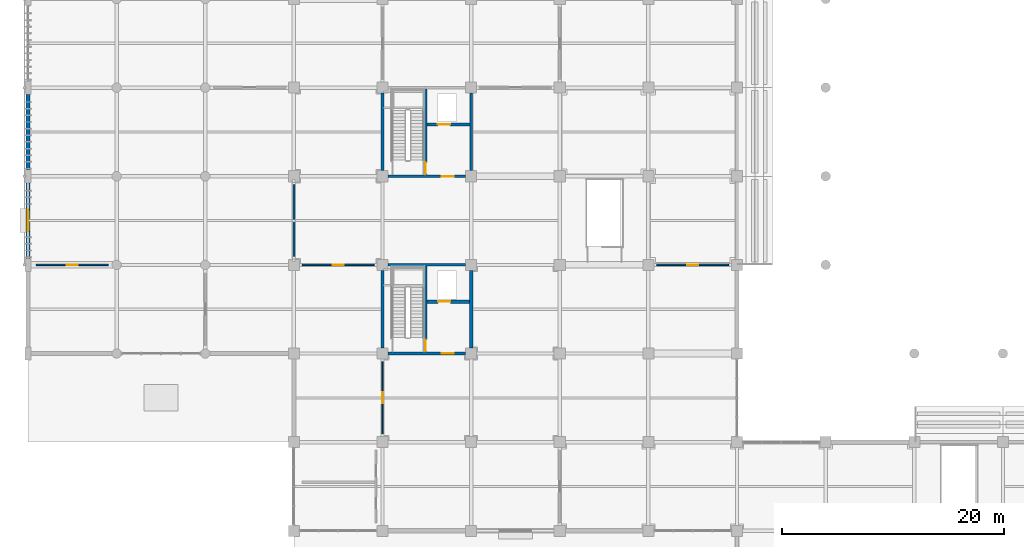
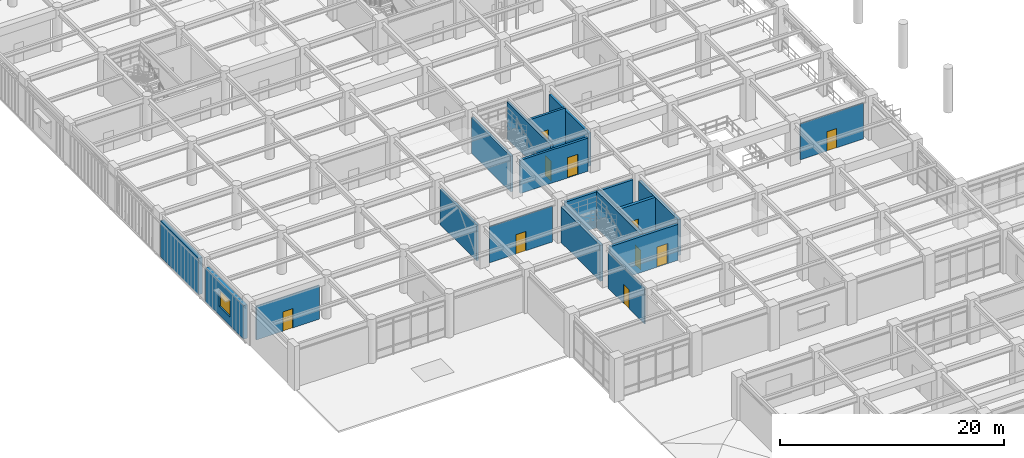
# One storey, part 71 of 117: 18 walls, 10 doors, 1 window, 11 openings.
"""IFC4 building model written with IfcOpenShell, lengths in metres."""

from ifc_helpers import new_model, si_unit, direction, frame, frame_2d, origin, place, context, subcontext, project, spatial, rectangle, extrude, material, layer, layer_set, type_object, element, fill, save


model = new_model("IFC4")

# Units and contexts
model_context = context("Model", 3, precision=1e-05, world=origin(), true_north=direction((0.0, 1.0)))
body_context = subcontext(model_context, "Body", "Model", "MODEL_VIEW")
ifc_project = project(units=[si_unit("LENGTHUNIT", "METRE"), si_unit("AREAUNIT", "SQUARE_METRE"), si_unit("VOLUMEUNIT", "CUBIC_METRE"), si_unit("PLANEANGLEUNIT", "RADIAN"), si_unit("MASSUNIT", "GRAM", prefix="KILO")], contexts=[model_context])

# Site, building, storey
site_placement = place(None, origin())
site = spatial("IfcSite", under=ifc_project, at=site_placement, CompositionType="ELEMENT")
building_placement = place(site_placement, origin())
building = spatial("IfcBuilding", under=site, at=building_placement, Name="Haebicheon Civic Stadium", CompositionType="ELEMENT")
storey_placement = place(building_placement, frame((0.0, 0.0, 4.800048828125)))
storey = spatial("IfcBuildingStorey", under=building, at=storey_placement, Name="L02", CompositionType="ELEMENT", Elevation=4.800048828125)

# Wall, opening, door
ifc_material_1 = material(Name="Concrete C40/50", Category="concrete")
ifc_layer_1 = layer(ifc_material_1, 0.239990234375, Name="Concrete C40/50")
ifc_layer_set_1 = layer_set([ifc_layer_1], Name="Concrete C40/50")
wall_type_1 = type_object("IfcWallType", Name="CW-SHR-240", PredefinedType="SHEAR", material=ifc_layer_set_1)
wall_1_placement = place(storey_placement, frame((32.5, 40.0, 0.0), z_axis=(0.0, 0.0, 1.0), x_axis=(1.0, 0.0, 0.0)))
wall_1 = element("IfcWall", 1, at=wall_1_placement, inside=storey, type_object=wall_type_1, material=ifc_layer_set_1, Name="KC-01 L02 south core shear wall", PredefinedType="SHEAR", context=body_context, shape_type="SweptSolid", body=[
    extrude(rectangle(XDim=7.0, YDim=0.239990234375, at=frame_2d((3.5, 0.0))), origin(), (0.0, 0.0, 1.0), 3.909912109375),
])
opening_1_placement = place(wall_1_placement, frame((4.85009765625, 0.0, 0.0)))
opening_1 = element("IfcOpeningElement", 2, at=opening_1_placement, cuts=wall_1, Name="Opening D-L02-KC-01-LOB", PredefinedType="OPENING", context=body_context, shape_type="SweptSolid", body=[
    extrude(rectangle(XDim=1.10009765625, YDim=2.199951171875, at=frame_2d((0.550048828125, 1.10009765625))), frame((0.0, 0.1298828125, 0.0), z_axis=(0.0, -1.0, 0.0), x_axis=(1.0, 0.0, 0.0)), (0.0, 0.0, 1.0), 0.260009765625),
])
ifc_material_2 = material(Name="Galvanised painted steel SM355", Category="steel")
door_type_1 = type_object("IfcDoorType", Name="ID-FD-1100", OperationType="NOTDEFINED", PredefinedType="DOOR", material=ifc_material_2)
door_1_placement = place(opening_1_placement, origin())
door_1 = element("IfcDoor", 3, at=door_1_placement, inside=storey, type_object=door_type_1, material=ifc_material_2, Name="L02 KC-01 lobby fire door", OperationType="SINGLE_SWING_LEFT", OverallHeight=2.199951171875, OverallWidth=1.10009765625, PredefinedType="DOOR", context=body_context, shape_type="SweptSolid", body=[
    extrude(rectangle(XDim=1.10009765625, YDim=2.199951171875, at=frame_2d((0.550048828125, 1.10009765625))), frame((0.0, 0.02490234375, 0.0), z_axis=(0.0, -1.0, 0.0), x_axis=(1.0, 0.0, 0.0)), (0.0, 0.0, 1.0), 0.050048828125),
])
fill(opening_1, door_1)

# Wall
wall_2_placement = place(storey_placement, frame((32.5, 48.0, 0.0), z_axis=(0.0, 0.0, 1.0), x_axis=(1.0, 0.0, 0.0)))
element("IfcWall", 4, at=wall_2_placement, inside=storey, type_object=wall_type_1, material=ifc_layer_set_1, Name="KC-01 L02 north core shear wall", PredefinedType="SHEAR", context=body_context, shape_type="SweptSolid", body=[
    extrude(rectangle(XDim=7.0, YDim=0.239990234375, at=frame_2d((3.5, 0.0))), origin(), (0.0, 0.0, 1.0), 3.909912109375),
])

# Wall, opening, door
wall_3_placement = place(storey_placement, frame((32.5, 56.0, 0.0), z_axis=(0.0, 0.0, 1.0), x_axis=(1.0, 0.0, 0.0)))
wall_3 = element("IfcWall", 5, at=wall_3_placement, inside=storey, type_object=wall_type_1, material=ifc_layer_set_1, Name="KC-02 L02 south core shear wall", PredefinedType="SHEAR", context=body_context, shape_type="SweptSolid", body=[
    extrude(rectangle(XDim=7.0, YDim=0.239990234375, at=frame_2d((3.5, 0.0))), origin(), (0.0, 0.0, 1.0), 3.60986328125),
])
opening_2_placement = place(wall_3_placement, frame((4.85009765625, 0.0, 0.0)))
opening_2 = element("IfcOpeningElement", 6, at=opening_2_placement, cuts=wall_3, Name="Opening D-L02-KC-02-LOB", PredefinedType="OPENING", context=body_context, shape_type="SweptSolid", body=[
    extrude(rectangle(XDim=1.10009765625, YDim=2.199951171875, at=frame_2d((0.550048828125, 1.10009765625))), frame((0.0, 0.1298828125, 0.0), z_axis=(0.0, -1.0, 0.0), x_axis=(1.0, 0.0, 0.0)), (0.0, 0.0, 1.0), 0.260009765625),
])
door_2_placement = place(opening_2_placement, origin())
door_2 = element("IfcDoor", 7, at=door_2_placement, inside=storey, type_object=door_type_1, material=ifc_material_2, Name="L02 KC-02 lobby fire door", OperationType="SINGLE_SWING_RIGHT", OverallHeight=2.199951171875, OverallWidth=1.10009765625, PredefinedType="DOOR", context=body_context, shape_type="SweptSolid", body=[
    extrude(rectangle(XDim=1.10009765625, YDim=2.199951171875, at=frame_2d((0.550048828125, 1.10009765625))), frame((0.0, 0.02490234375, 0.0), z_axis=(0.0, -1.0, 0.0), x_axis=(1.0, 0.0, 0.0)), (0.0, 0.0, 1.0), 0.050048828125),
])
fill(opening_2, door_2)

# Walls
wall_4_placement = place(storey_placement, frame((32.0, 56.5, 0.0), z_axis=(0.0, 0.0, 1.0), x_axis=(0.0, 1.0, 0.0)))
element("IfcWall", 8, at=wall_4_placement, inside=storey, type_object=wall_type_1, material=ifc_layer_set_1, Name="KC-02 L02 west core shear wall", PredefinedType="SHEAR", context=body_context, shape_type="SweptSolid", body=[
    extrude(rectangle(XDim=7.0, YDim=0.239990234375, at=frame_2d((3.5, 0.0))), origin(), (0.0, 0.0, 1.0), 3.909912109375),
])
wall_5_placement = place(storey_placement, frame((40.0, 56.5, 0.0), z_axis=(0.0, 0.0, 1.0), x_axis=(0.0, 1.0, 0.0)))
element("IfcWall", 9, at=wall_5_placement, inside=storey, type_object=wall_type_1, material=ifc_layer_set_1, Name="KC-02 L02 east core shear wall", PredefinedType="SHEAR", context=body_context, shape_type="SweptSolid", body=[
    extrude(rectangle(XDim=7.0, YDim=0.239990234375, at=frame_2d((3.5, 0.0))), origin(), (0.0, 0.0, 1.0), 3.60986328125),
])

# Wall, opening, door
wall_6_placement = place(storey_placement, frame((35.8798828125, 56.1201171875, 0.0), z_axis=(0.0, 0.0, 1.0), x_axis=(0.0, 1.0, 0.0)))
wall_6 = element("IfcWall", 10, at=wall_6_placement, inside=storey, type_object=wall_type_1, material=ifc_layer_set_1, Name="KC-02 L02 stair-lobby dividing shear wall", PredefinedType="SHEAR", context=body_context, shape_type="SweptSolid", body=[
    extrude(rectangle(XDim=7.759765625, YDim=0.239990234375, at=frame_2d((3.8798828125, 0.0))), origin(), (0.0, 0.0, 1.0), 4.010009765625),
])
opening_3_placement = place(wall_6_placement, frame((0.080078125, 0.0, 0.0)))
opening_3 = element("IfcOpeningElement", 11, at=opening_3_placement, cuts=wall_6, Name="Opening D-L02-KC-02-STR", PredefinedType="OPENING", context=body_context, shape_type="SweptSolid", body=[
    extrude(rectangle(XDim=1.050048828125, YDim=2.14990234375, at=frame_2d((0.52490234375, 1.074951171875))), frame((0.0, 0.1298828125, 0.0), z_axis=(0.0, -1.0, 0.0), x_axis=(1.0, 0.0, 0.0)), (0.0, 0.0, 1.0), 0.260009765625),
])
ifc_material_3 = material(Name="Galvanised painted steel SM355", Category="steel")
door_type_2 = type_object("IfcDoorType", Name="ID-FD-1050", OperationType="NOTDEFINED", PredefinedType="DOOR", material=ifc_material_3)
door_3_placement = place(opening_3_placement, origin())
door_3 = element("IfcDoor", 12, at=door_3_placement, inside=storey, type_object=door_type_2, material=ifc_material_3, Name="L02 ST-02 stairwell escape door", OperationType="SINGLE_SWING_LEFT", OverallHeight=2.14990234375, OverallWidth=1.050048828125, PredefinedType="DOOR", context=body_context, shape_type="SweptSolid", body=[
    extrude(rectangle(XDim=1.050048828125, YDim=2.14990234375, at=frame_2d((0.52490234375, 1.074951171875))), frame((0.0, 0.02490234375, 0.0), z_axis=(0.0, -1.0, 0.0), x_axis=(1.0, 0.0, 0.0)), (0.0, 0.0, 1.0), 0.050048828125),
])
fill(opening_3, door_3)

wall_7_placement = place(storey_placement, frame((36.0, 60.679931640625, 0.0), z_axis=(0.0, 0.0, 1.0), x_axis=(1.0, 0.0, 0.0)))
wall_7 = element("IfcWall", 13, at=wall_7_placement, inside=storey, type_object=wall_type_1, material=ifc_layer_set_1, Name="KC-02 L02 lift shaft front wall", PredefinedType="SHEAR", context=body_context, shape_type="SweptSolid", body=[
    extrude(rectangle(XDim=3.8798828125, YDim=0.239990234375, at=frame_2d((1.93994140625, 0.0))), origin(), (0.0, 0.0, 1.0), 3.909912109375),
])
opening_4_placement = place(wall_7_placement, frame((1.0, 0.0, 0.0)))
opening_4 = element("IfcOpeningElement", 14, at=opening_4_placement, cuts=wall_7, Name="Opening LD-02-L02", PredefinedType="OPENING", context=body_context, shape_type="SweptSolid", body=[
    extrude(rectangle(XDim=1.10009765625, YDim=2.14990234375, at=frame_2d((0.550048828125, 1.074951171875))), frame((0.0, 0.1298828125, 0.0), z_axis=(0.0, -1.0, 0.0), x_axis=(1.0, 0.0, 0.0)), (0.0, 0.0, 1.0), 0.260009765625),
])
ifc_material_4 = material(Name="Stainless steel 316", Category="steel")
door_type_3 = type_object("IfcDoorType", Name="ID-LD-1100", OperationType="NOTDEFINED", PredefinedType="DOOR", material=ifc_material_4)
door_4_placement = place(opening_4_placement, origin())
door_4 = element("IfcDoor", 15, at=door_4_placement, inside=storey, type_object=door_type_3, material=ifc_material_4, Name="LF-02 lift landing sliding door L02", OperationType="SLIDING_TO_LEFT", OverallHeight=2.14990234375, OverallWidth=1.10009765625, PredefinedType="DOOR", context=body_context, shape_type="SweptSolid", body=[
    extrude(rectangle(XDim=1.10009765625, YDim=2.14990234375, at=frame_2d((0.550048828125, 1.074951171875))), frame((0.0, 0.02490234375, 0.0), z_axis=(0.0, -1.0, 0.0), x_axis=(1.0, 0.0, 0.0)), (0.0, 0.0, 1.0), 0.050048828125),
])
fill(opening_4, door_4)

# Walls
ifc_material_5 = material(Name="Concrete C40/50", Category="concrete")
ifc_layer_2 = layer(ifc_material_5, 0.300048828125, Name="Concrete C40/50")
ifc_layer_set_2 = layer_set([ifc_layer_2], Name="Concrete C40/50")
wall_type_2 = type_object("IfcWallType", Name="CW-SHR-300", PredefinedType="SHEAR", material=ifc_layer_set_2)
for number, where, z_axis, x_axis, name in (
    (16, (32.0, 40.5, 0.0), (0.0, 0.0, 1.0), (0.0, 1.0, 0.0), "KC-01 L02 west core shear wall"),
    (17, (40.0, 40.5, 0.0), (0.0, 0.0, 1.0), (0.0, 1.0, 0.0), "KC-01 L02 east core shear wall"),
):
    element("IfcWall", number, at=place(storey_placement, frame(where, z_axis=z_axis, x_axis=x_axis)), inside=storey, type_object=wall_type_2, material=ifc_layer_set_2, Name=name, PredefinedType="SHEAR", context=body_context, shape_type="SweptSolid", body=[
        extrude(rectangle(XDim=7.0, YDim=0.300048828125, at=frame_2d((3.5, 0.0))), origin(), (0.0, 0.0, 1.0), 3.909912109375),
    ])

# Wall, opening, door
wall_8_placement = place(storey_placement, frame((35.8798828125, 40.1201171875, 0.0), z_axis=(0.0, 0.0, 1.0), x_axis=(0.0, 1.0, 0.0)))
wall_8 = element("IfcWall", 18, at=wall_8_placement, inside=storey, type_object=wall_type_2, material=ifc_layer_set_2, Name="KC-01 L02 stair-lobby dividing shear wall", PredefinedType="SHEAR", context=body_context, shape_type="SweptSolid", body=[
    extrude(rectangle(XDim=7.759765625, YDim=0.300048828125, at=frame_2d((3.8798828125, 0.0))), origin(), (0.0, 0.0, 1.0), 4.010009765625),
])
opening_5_placement = place(wall_8_placement, frame((0.080078125, 0.0, 0.0)))
opening_5 = element("IfcOpeningElement", 19, at=opening_5_placement, cuts=wall_8, Name="Opening D-L02-KC-01-STR", PredefinedType="OPENING", context=body_context, shape_type="SweptSolid", body=[
    extrude(rectangle(XDim=1.050048828125, YDim=2.14990234375, at=frame_2d((0.52490234375, 1.074951171875))), frame((0.0, 0.159912109375, 0.0), z_axis=(0.0, -1.0, 0.0), x_axis=(1.0, 0.0, 0.0)), (0.0, 0.0, 1.0), 0.320068359375),
])
door_5_placement = place(opening_5_placement, origin())
door_5 = element("IfcDoor", 20, at=door_5_placement, inside=storey, type_object=door_type_2, material=ifc_material_3, Name="L02 ST-01 stairwell escape door", OperationType="SINGLE_SWING_RIGHT", OverallHeight=2.14990234375, OverallWidth=1.050048828125, PredefinedType="DOOR", context=body_context, shape_type="SweptSolid", body=[
    extrude(rectangle(XDim=1.050048828125, YDim=2.14990234375, at=frame_2d((0.52490234375, 1.074951171875))), frame((0.0, 0.02490234375, 0.0), z_axis=(0.0, -1.0, 0.0), x_axis=(1.0, 0.0, 0.0)), (0.0, 0.0, 1.0), 0.050048828125),
])
fill(opening_5, door_5)

wall_9_placement = place(storey_placement, frame((36.030029296875, 44.679931640625, 0.0), z_axis=(0.0, 0.0, 1.0), x_axis=(1.0, 0.0, 0.0)))
wall_9 = element("IfcWall", 21, at=wall_9_placement, inside=storey, type_object=wall_type_2, material=ifc_layer_set_2, Name="KC-01 L02 lift shaft front wall", PredefinedType="SHEAR", context=body_context, shape_type="SweptSolid", body=[
    extrude(rectangle(XDim=3.820068359375, YDim=0.300048828125, at=frame_2d((1.91015625, 0.0))), origin(), (0.0, 0.0, 1.0), 3.909912109375),
])
opening_6_placement = place(wall_9_placement, frame((1.0, 0.0, 0.0)))
opening_6 = element("IfcOpeningElement", 22, at=opening_6_placement, cuts=wall_9, Name="Opening LD-01-L02", PredefinedType="OPENING", context=body_context, shape_type="SweptSolid", body=[
    extrude(rectangle(XDim=1.10009765625, YDim=2.14990234375, at=frame_2d((0.550048828125, 1.074951171875))), frame((0.0, 0.159912109375, 0.0), z_axis=(0.0, -1.0, 0.0), x_axis=(1.0, 0.0, 0.0)), (0.0, 0.0, 1.0), 0.320068359375),
])
door_6_placement = place(opening_6_placement, origin())
door_6 = element("IfcDoor", 23, at=door_6_placement, inside=storey, type_object=door_type_3, material=ifc_material_4, Name="LF-01 lift landing sliding door L02", OperationType="SLIDING_TO_LEFT", OverallHeight=2.14990234375, OverallWidth=1.10009765625, PredefinedType="DOOR", context=body_context, shape_type="SweptSolid", body=[
    extrude(rectangle(XDim=1.10009765625, YDim=2.14990234375, at=frame_2d((0.550048828125, 1.074951171875))), frame((0.0, 0.02490234375, 0.0), z_axis=(0.0, -1.0, 0.0), x_axis=(1.0, 0.0, 0.0)), (0.0, 0.0, 1.0), 0.050048828125),
])
fill(opening_6, door_6)

# Wall, opening, window
ifc_material_6 = material(Name="Concrete C40/50", Category="concrete")
ifc_layer_3 = layer(ifc_material_6, 0.3798828125, Name="Concrete C40/50")
ifc_layer_set_3 = layer_set([ifc_layer_3], Name="Concrete C40/50")
wall_type_3 = type_object("IfcWallType", Name="EW-BM-380", PredefinedType="SOLIDWALL", material=ifc_layer_set_3)
wall_10_placement = place(storey_placement, frame((0.0, 48.60009765625, 0.0), z_axis=(0.0, 0.0, 1.0), x_axis=(0.0, 1.0, 0.0)))
wall_10 = element("IfcWall", 24, at=wall_10_placement, inside=storey, type_object=wall_type_3, material=ifc_layer_set_3, Name="L02 board-marked concrete facade wall 00-06-W", PredefinedType="SOLIDWALL", context=body_context, shape_type="SweptSolid", body=[
    extrude(rectangle(XDim=6.7998046875, YDim=0.3798828125, at=frame_2d((3.39990234375, 0.0))), origin(), (0.0, 0.0, 1.0), 3.669921875),
])
opening_7_placement = place(wall_10_placement, frame((2.425048828125, 0.0, 0.949951171875)))
opening_7 = element("IfcOpeningElement", 25, at=opening_7_placement, cuts=wall_10, Name="Opening WIN-195x180", PredefinedType="OPENING", context=body_context, shape_type="SweptSolid", body=[
    extrude(rectangle(XDim=1.949951171875, YDim=1.800048828125, at=frame_2d((0.97509765625, 0.89990234375))), frame((0.0, 0.199951171875, 0.0), z_axis=(0.0, -1.0, 0.0), x_axis=(1.0, 0.0, 0.0)), (0.0, 0.0, 1.0), 0.39990234375),
])
ifc_material_7 = material(Name="Anodised aluminium and laminated glass", Category="aluminium")
window_type = type_object("IfcWindowType", Name="WIN-195x180", PartitioningType="SINGLE_PANEL", PredefinedType="WINDOW", material=ifc_material_7)
window_placement = place(opening_7_placement, origin())
window = element("IfcWindow", 26, at=window_placement, inside=storey, type_object=window_type, material=ifc_material_7, Name="L02 facade window 030", OverallHeight=1.800048828125, OverallWidth=1.949951171875, PartitioningType="SINGLE_PANEL", PredefinedType="WINDOW", context=body_context, shape_type="SweptSolid", body=[
    extrude(rectangle(XDim=1.949951171875, YDim=1.800048828125, at=frame_2d((0.97509765625, 0.89990234375))), frame((0.0, 0.030029296875, 0.0), z_axis=(0.0, -1.0, 0.0), x_axis=(1.0, 0.0, 0.0)), (0.0, 0.0, 1.0), 0.06005859375),
])
fill(opening_7, window)

# Walls
wall_11_placement = place(storey_placement, frame((0.0, 56.60009765625, 0.0), z_axis=(0.0, 0.0, 1.0), x_axis=(0.0, 1.0, 0.0)))
element("IfcWall", 27, at=wall_11_placement, inside=storey, type_object=wall_type_3, material=ifc_layer_set_3, Name="L02 board-marked concrete facade wall 00-07-W", PredefinedType="SOLIDWALL", context=body_context, shape_type="SweptSolid", body=[
    extrude(rectangle(XDim=6.7998046875, YDim=0.3798828125, at=frame_2d((3.39990234375, 0.0))), origin(), (0.0, 0.0, 1.0), 3.949951171875),
])
ifc_material_8 = material(Name="Concrete C35/45", Category="concrete")
ifc_layer_4 = layer(ifc_material_8, 0.199951171875, Name="Concrete C35/45")
ifc_layer_set_4 = layer_set([ifc_layer_4], Name="Concrete C35/45")
wall_type_4 = type_object("IfcWallType", Name="IW-FIR-200", PredefinedType="PARTITIONING", material=ifc_layer_set_4)
wall_12_placement = place(storey_placement, frame((24.0, 48.75, 0.0), z_axis=(0.0, 0.0, 1.0), x_axis=(0.0, 1.0, 0.0)))
element("IfcWall", 28, at=wall_12_placement, inside=storey, type_object=wall_type_4, material=ifc_layer_set_4, Name="L02 braced-frame solid fire wall 03-06", PredefinedType="PARTITIONING", context=body_context, shape_type="SweptSolid", body=[
    extrude(rectangle(XDim=6.5, YDim=0.199951171875, at=frame_2d((3.25, 0.0))), origin(), (0.0, 0.0, 1.0), 3.909912109375),
])

# Wall, opening, door
ifc_material_9 = material(Name="Gypsum plasterboard on steel studs", Category="gypsum")
ifc_layer_5 = layer(ifc_material_9, 0.1201171875, Name="Gypsum plasterboard on steel studs")
ifc_layer_set_5 = layer_set([ifc_layer_5], Name="Gypsum plasterboard on steel studs")
wall_type_5 = type_object("IfcWallType", Name="IW-PRT-120", PredefinedType="PARTITIONING", material=ifc_layer_set_5)
wall_13_placement = place(storey_placement, frame((32.0, 32.75, 0.0), z_axis=(0.0, 0.0, 1.0), x_axis=(0.0, 1.0, 0.0)))
wall_13 = element("IfcWall", 29, at=wall_13_placement, inside=storey, type_object=wall_type_5, material=ifc_layer_set_5, Name="L02 First Aid Station partition wall", PredefinedType="PARTITIONING", context=body_context, shape_type="SweptSolid", body=[
    extrude(rectangle(XDim=6.5, YDim=0.1201171875, at=frame_2d((3.25, 0.0))), origin(), (0.0, 0.0, 1.0), 3.909912109375),
])
opening_8_placement = place(wall_13_placement, frame((2.75, 0.0, 0.0)))
opening_8 = element("IfcOpeningElement", 30, at=opening_8_placement, cuts=wall_13, Name="Opening D-L02-194", PredefinedType="OPENING", context=body_context, shape_type="SweptSolid", body=[
    extrude(rectangle(XDim=1.0, YDim=2.10009765625, at=frame_2d((0.5, 1.050048828125))), frame((0.0, 0.070068359375, 0.0), z_axis=(0.0, -1.0, 0.0), x_axis=(1.0, 0.0, 0.0)), (0.0, 0.0, 1.0), 0.14013671875),
])
ifc_material_10 = material(Name="Engineered hardwood timber", Category="wood")
door_type_4 = type_object("IfcDoorType", Name="ID-RM-1000", OperationType="NOTDEFINED", PredefinedType="DOOR", material=ifc_material_10)
door_7_placement = place(opening_8_placement, origin())
door_7 = element("IfcDoor", 31, at=door_7_placement, inside=storey, type_object=door_type_4, material=ifc_material_10, Name="L02 First Aid Station entrance door D-L02-194", OperationType="SINGLE_SWING_RIGHT", OverallHeight=2.10009765625, OverallWidth=1.0, PredefinedType="DOOR", context=body_context, shape_type="SweptSolid", body=[
    extrude(rectangle(XDim=1.0, YDim=2.10009765625, at=frame_2d((0.5, 1.050048828125))), frame((0.0, 0.02490234375, 0.0), z_axis=(0.0, -1.0, 0.0), x_axis=(1.0, 0.0, 0.0)), (0.0, 0.0, 1.0), 0.050048828125),
])
fill(opening_8, door_7)

wall_14_placement = place(storey_placement, frame((56.75, 48.0, 0.0), z_axis=(0.0, 0.0, 1.0), x_axis=(1.0, 0.0, 0.0)))
wall_14 = element("IfcWall", 32, at=wall_14_placement, inside=storey, type_object=wall_type_5, material=ifc_layer_set_5, Name="L02 Food and Beverage Kiosk partition wall", PredefinedType="PARTITIONING", context=body_context, shape_type="SweptSolid", body=[
    extrude(rectangle(XDim=6.5, YDim=0.1201171875, at=frame_2d((3.25, 0.0))), origin(), (0.0, 0.0, 1.0), 3.909912109375),
])
opening_9_placement = place(wall_14_placement, frame((2.75, 0.0, 0.0)))
opening_9 = element("IfcOpeningElement", 33, at=opening_9_placement, cuts=wall_14, Name="Opening D-L02-202", PredefinedType="OPENING", context=body_context, shape_type="SweptSolid", body=[
    extrude(rectangle(XDim=1.0, YDim=2.10009765625, at=frame_2d((0.5, 1.050048828125))), frame((0.0, 0.070068359375, 0.0), z_axis=(0.0, -1.0, 0.0), x_axis=(1.0, 0.0, 0.0)), (0.0, 0.0, 1.0), 0.14013671875),
])
door_8_placement = place(opening_9_placement, origin())
door_8 = element("IfcDoor", 34, at=door_8_placement, inside=storey, type_object=door_type_4, material=ifc_material_10, Name="L02 Food and Beverage Kiosk entrance door D-L02-202", OperationType="SINGLE_SWING_LEFT", OverallHeight=2.10009765625, OverallWidth=1.0, PredefinedType="DOOR", context=body_context, shape_type="SweptSolid", body=[
    extrude(rectangle(XDim=1.0, YDim=2.10009765625, at=frame_2d((0.5, 1.050048828125))), frame((0.0, 0.02490234375, 0.0), z_axis=(0.0, -1.0, 0.0), x_axis=(1.0, 0.0, 0.0)), (0.0, 0.0, 1.0), 0.050048828125),
])
fill(opening_9, door_8)

ifc_material_11 = material(Name="Gypsum plasterboard on steel studs", Category="gypsum")
ifc_layer_6 = layer(ifc_material_11, 0.1298828125, Name="Gypsum plasterboard on steel studs")
ifc_layer_set_6 = layer_set([ifc_layer_6], Name="Gypsum plasterboard on steel studs")
wall_type_6 = type_object("IfcWallType", Name="IW-PRT-130", PredefinedType="PARTITIONING", material=ifc_layer_set_6)
wall_15_placement = place(storey_placement, frame((24.75, 48.0, 0.0), z_axis=(0.0, 0.0, 1.0), x_axis=(1.0, 0.0, 0.0)))
wall_15 = element("IfcWall", 35, at=wall_15_placement, inside=storey, type_object=wall_type_6, material=ifc_layer_set_6, Name="L02 Food and Beverage Kiosk partition wall", PredefinedType="PARTITIONING", context=body_context, shape_type="SweptSolid", body=[
    extrude(rectangle(XDim=6.5, YDim=0.1298828125, at=frame_2d((3.25, 0.0))), origin(), (0.0, 0.0, 1.0), 3.909912109375),
])
opening_10_placement = place(wall_15_placement, frame((2.75, 0.0, 0.0)))
opening_10 = element("IfcOpeningElement", 36, at=opening_10_placement, cuts=wall_15, Name="Opening D-L02-188", PredefinedType="OPENING", context=body_context, shape_type="SweptSolid", body=[
    extrude(rectangle(XDim=1.0, YDim=2.10009765625, at=frame_2d((0.5, 1.050048828125))), frame((0.0, 0.074951171875, 0.0), z_axis=(0.0, -1.0, 0.0), x_axis=(1.0, 0.0, 0.0)), (0.0, 0.0, 1.0), 0.14990234375),
])
door_9_placement = place(opening_10_placement, origin())
door_9 = element("IfcDoor", 37, at=door_9_placement, inside=storey, type_object=door_type_4, material=ifc_material_10, Name="L02 Food and Beverage Kiosk entrance door D-L02-188", OperationType="SINGLE_SWING_LEFT", OverallHeight=2.10009765625, OverallWidth=1.0, PredefinedType="DOOR", context=body_context, shape_type="SweptSolid", body=[
    extrude(rectangle(XDim=1.0, YDim=2.10009765625, at=frame_2d((0.5, 1.050048828125))), frame((0.0, 0.02490234375, 0.0), z_axis=(0.0, -1.0, 0.0), x_axis=(1.0, 0.0, 0.0)), (0.0, 0.0, 1.0), 0.050048828125),
])
fill(opening_10, door_9)

wall_16_placement = place(storey_placement, frame((0.75, 48.0, 0.0), z_axis=(0.0, 0.0, 1.0), x_axis=(1.0, 0.0, 0.0)))
wall_16 = element("IfcWall", 38, at=wall_16_placement, inside=storey, type_object=wall_type_6, material=ifc_layer_set_6, Name="L02 Club Museum Archive Gallery partition wall", PredefinedType="PARTITIONING", context=body_context, shape_type="SweptSolid", body=[
    extrude(rectangle(XDim=6.5, YDim=0.1298828125, at=frame_2d((3.25, 0.0))), origin(), (0.0, 0.0, 1.0), 3.669921875),
])
opening_11_placement = place(wall_16_placement, frame((2.75, 0.0, 0.0)))
opening_11 = element("IfcOpeningElement", 39, at=opening_11_placement, cuts=wall_16, Name="Opening D-L02-248", PredefinedType="OPENING", context=body_context, shape_type="SweptSolid", body=[
    extrude(rectangle(XDim=1.0, YDim=2.10009765625, at=frame_2d((0.5, 1.050048828125))), frame((0.0, 0.074951171875, 0.0), z_axis=(0.0, -1.0, 0.0), x_axis=(1.0, 0.0, 0.0)), (0.0, 0.0, 1.0), 0.14990234375),
])
door_10_placement = place(opening_11_placement, origin())
door_10 = element("IfcDoor", 40, at=door_10_placement, inside=storey, type_object=door_type_4, material=ifc_material_10, Name="L02 Club Museum Archive Gallery entrance door D-L02-248", OperationType="SINGLE_SWING_LEFT", OverallHeight=2.10009765625, OverallWidth=1.0, PredefinedType="DOOR", context=body_context, shape_type="SweptSolid", body=[
    extrude(rectangle(XDim=1.0, YDim=2.10009765625, at=frame_2d((0.5, 1.050048828125))), frame((0.0, 0.02490234375, 0.0), z_axis=(0.0, -1.0, 0.0), x_axis=(1.0, 0.0, 0.0)), (0.0, 0.0, 1.0), 0.050048828125),
])
fill(opening_11, door_10)

save(model, "model.ifc")
